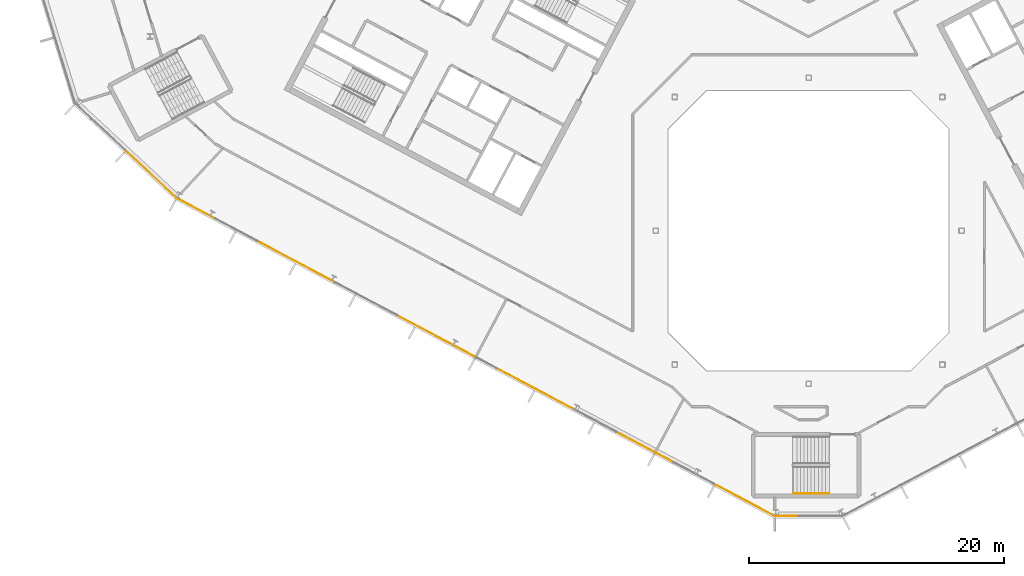
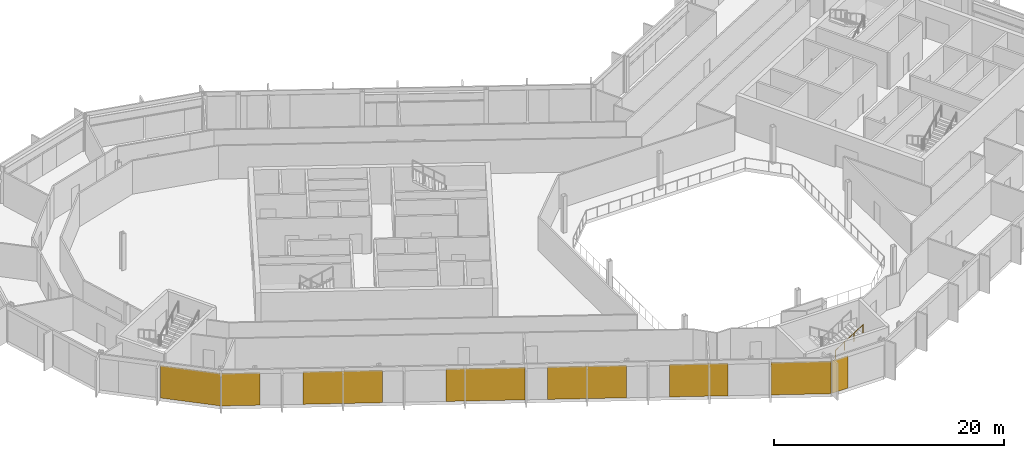
# One storey, part 19 of 26: 8 coverings, 1 railing, 3 elements without a shape of their own.
"""IFC4 building model written with IfcOpenShell, lengths in metres."""

from ifc_helpers import new_model, si_unit, direction, frame, origin, origin_2d, place, context, subcontext, project, spatial, polyline, rectangle, outline, extrude, material, layer, layer_set, type_object, element, aggregate, save


model = new_model("IFC4")

# Units and contexts
model_context = context("Model", 3, precision=1e-05, world=origin(), true_north=direction((0.0, 1.0)))
body_context = subcontext(model_context, "Body", "Model", "MODEL_VIEW")
ifc_project = project(units=[si_unit("LENGTHUNIT", "METRE"), si_unit("AREAUNIT", "SQUARE_METRE"), si_unit("VOLUMEUNIT", "CUBIC_METRE"), si_unit("PLANEANGLEUNIT", "RADIAN"), si_unit("MASSUNIT", "GRAM", prefix="KILO")], contexts=[model_context])

# Site, building, storey
site_placement = place(None, origin())
site = spatial("IfcSite", under=ifc_project, at=site_placement, CompositionType="ELEMENT")
building_placement = place(site_placement, origin())
building = spatial("IfcBuilding", under=site, at=building_placement, Name="Cormorant Relay Tower", CompositionType="ELEMENT")
storey_placement = place(building_placement, frame((0.0, 0.0, 312.60009765625)))
storey = spatial("IfcBuildingStorey", under=building, at=storey_placement, Name="L71", CompositionType="ELEMENT", Elevation=312.60009765625)

# Curtain wall, covering
ifc_material_1 = material(Name="Aluminium 6063-T6 anodised bronze", Category="aluminium")
ifc_layer_1 = layer(ifc_material_1, 0.199951171875)
ifc_layer_set_1 = layer_set([ifc_layer_1], Name="CW1 unitised bronze curtain wall with vertical fins")
curtain_wall_type = type_object("IfcCurtainWallType", Name="CW1 unitised bronze curtain wall with vertical fins", PredefinedType="NOTDEFINED", material=ifc_layer_set_1)
curtain_wall_1_placement = place(storey_placement, origin())
curtain_wall_1 = element("IfcCurtainWall", 1, at=curtain_wall_1_placement, inside=storey, type_object=curtain_wall_type, Name="CW1 curtain wall 1", PredefinedType="NOTDEFINED")
ifc_material_2 = material(Name="Pale bronze anodised aluminium insulated panel", Category="aluminium")
ifc_layer_2 = layer(ifc_material_2, 0.0400390625)
ifc_layer_set_2 = layer_set([ifc_layer_2], Name="CW1 pale bronze insulated panel 40")
covering_type = type_object("IfcCoveringType", Name="CW1 pale bronze insulated panel 40", PredefinedType="CLADDING", material=ifc_layer_set_2)
covering_1_placement = place(storey_placement, frame((-1.762451171875, -22.3955078125, 0.0), z_axis=(0.0, 0.0, 1.0), x_axis=(1.0, 0.0, 0.0)))
covering_1 = element("IfcCovering", 2, at=covering_1_placement, type_object=covering_type, Name="CW1 panel S00", PredefinedType="CLADDING", context=body_context, shape_type="SweptSolid", body=[
    extrude(rectangle(XDim=1.622802734375, YDim=0.0400390625, at=origin_2d()), origin(), (0.0, 0.0, 1.0), 3.449951171875),
])
aggregate(curtain_wall_1, [covering_1])

curtain_wall_2_placement = place(storey_placement, origin())
curtain_wall_2 = element("IfcCurtainWall", 3, at=curtain_wall_2_placement, inside=storey, type_object=curtain_wall_type, Name="CW1 curtain wall 15", PredefinedType="NOTDEFINED")
covering_2_placement = place(storey_placement, frame((-51.565185546875, 4.3974609375, 0.0), z_axis=(0.0, 0.0, 1.0), x_axis=(0.731353701619, -0.681998360062, 0.0)))
covering_2 = element("IfcCovering", 4, at=covering_2_placement, type_object=covering_type, Name="CW1 panel S02", PredefinedType="CLADDING", context=body_context, shape_type="SweptSolid", body=[
    extrude(rectangle(XDim=5.360107421875, YDim=0.0400390625, at=origin_2d()), origin(), (0.0, 0.0, 1.0), 3.449951171875),
])
aggregate(curtain_wall_2, [covering_2])

# Curtain wall, coverings
curtain_wall_3_placement = place(storey_placement, origin())
curtain_wall_3 = element("IfcCurtainWall", 5, at=curtain_wall_3_placement, inside=storey, type_object=curtain_wall_type, Name="CW1 curtain wall 16", PredefinedType="NOTDEFINED")
covering_3_placement = place(storey_placement, frame((-48.048583984375, 1.7412109375, 0.0), z_axis=(0.0, 0.0, 1.0), x_axis=(0.882947592859, -0.469471562786, 0.0)))
covering_3 = element("IfcCovering", 6, at=covering_3_placement, type_object=covering_type, Name="CW1 panel S00", PredefinedType="CLADDING", context=body_context, shape_type="SweptSolid", body=[
    extrude(rectangle(XDim=3.36669921875, YDim=0.0400390625, at=origin_2d()), origin(), (0.0, 0.0, 1.0), 3.449951171875),
])
covering_4_placement = place(storey_placement, frame((-40.21240234375, -2.42529296875, 0.0), z_axis=(0.0, 0.0, 1.0), x_axis=(0.882947592859, -0.469471562786, 0.0)))
covering_4 = element("IfcCovering", 7, at=covering_4_placement, type_object=covering_type, Name="CW1 panel S03", PredefinedType="CLADDING", context=body_context, shape_type="SweptSolid", body=[
    extrude(rectangle(XDim=6.88330078125, YDim=0.0400390625, at=origin_2d()), origin(), (0.0, 0.0, 1.0), 3.449951171875),
])
covering_5_placement = place(storey_placement, frame((-29.234619140625, -8.26220703125, 0.0), z_axis=(0.0, 0.0, 1.0), x_axis=(0.882947592859, -0.469471562786, 0.0)))
covering_5 = element("IfcCovering", 8, at=covering_5_placement, type_object=covering_type, Name="CW1 panel S06", PredefinedType="CLADDING", context=body_context, shape_type="SweptSolid", body=[
    extrude(rectangle(XDim=6.88330078125, YDim=0.0400390625, at=origin_2d()), origin(), (0.0, 0.0, 1.0), 3.449951171875),
])
covering_6_placement = place(storey_placement, frame((-21.435302734375, -12.4091796875, 0.0), z_axis=(0.0, 0.0, 1.0), x_axis=(0.882947592859, -0.469471562786, 0.0)))
covering_6 = element("IfcCovering", 9, at=covering_6_placement, type_object=covering_type, Name="CW1 panel S08", PredefinedType="CLADDING", context=body_context, shape_type="SweptSolid", body=[
    extrude(rectangle(XDim=6.88330078125, YDim=0.0400390625, at=origin_2d()), origin(), (0.0, 0.0, 1.0), 3.449951171875),
])
covering_7_placement = place(storey_placement, frame((-12.84130859375, -16.978759765625, 0.0), z_axis=(0.0, 0.0, 1.0), x_axis=(0.882947592859, -0.469471562786, 0.0)))
covering_7 = element("IfcCovering", 10, at=covering_7_placement, type_object=covering_type, Name="CW1 panel S11", PredefinedType="CLADDING", context=body_context, shape_type="SweptSolid", body=[
    extrude(rectangle(XDim=5.083251953125, YDim=0.0400390625, at=origin_2d()), origin(), (0.0, 0.0, 1.0), 3.449951171875),
])
covering_8_placement = place(storey_placement, frame((-4.972412109375, -21.162841796875, 0.0), z_axis=(0.0, 0.0, 1.0), x_axis=(0.882947592859, -0.469471562786, 0.0)))
covering_8 = element("IfcCovering", 11, at=covering_8_placement, type_object=covering_type, Name="CW1 panel S13", PredefinedType="CLADDING", context=body_context, shape_type="SweptSolid", body=[
    extrude(rectangle(XDim=5.24169921875, YDim=0.0400390625, at=origin_2d()), origin(), (0.0, 0.0, 1.0), 3.449951171875),
])
aggregate(curtain_wall_3, [covering_3, covering_4, covering_5, covering_6, covering_7, covering_8])

# Railing
ifc_material_3 = material(Name="Steel ASTM A572 Grade 50 (Fy 345 MPa)", Category="steel")
railing_type = type_object("IfcRailingType", Name="Stair handrail 900", PredefinedType="HANDRAIL", material=ifc_material_3)
railing_placement = place(storey_placement, frame((-1.199951171875, -20.625, 2.127197265625)))
element("IfcRailing", 12, at=railing_placement, inside=storey, type_object=railing_type, Name="L71 RK1 stair handrail 2", PredefinedType="HANDRAIL", context=body_context, shape_type="SweptSolid", body=[
    extrude(outline(polyline([(0.022216796875, 0.00927734375), (0.00927734375, 0.022216796875), (-0.00927734375, 0.022216796875), (-0.022216796875, 0.00927734375), (-0.022216796875, -0.00927734375), (-0.00927734375, -0.022216796875), (0.00927734375, -0.022216796875), (0.022216796875, -0.00927734375), (0.022216796875, 0.00927734375)])), frame((0.0, 0.0, 0.8759765625), z_axis=(0.844908973607, 0.0, 0.534910110503), x_axis=(0.0, 1.0, 0.0)), (0.0, 0.0, 1.0), 3.31396484375),
    extrude(outline(polyline([(0.019287109375, 0.008056640625), (0.008056640625, 0.019287109375), (-0.008056640625, 0.019287109375), (-0.019287109375, 0.008056640625), (-0.019287109375, -0.008056640625), (-0.008056640625, -0.019287109375), (0.008056640625, -0.019287109375), (0.019287109375, -0.008056640625), (0.019287109375, 0.008056640625)])), origin(), (0.0, 0.0, 1.0), 0.851806640625),
    extrude(outline(polyline([(0.019287109375, 0.008056640625), (0.008056640625, 0.019287109375), (-0.008056640625, 0.019287109375), (-0.019287109375, 0.008056640625), (-0.019287109375, -0.008056640625), (-0.008056640625, -0.019287109375), (0.008056640625, -0.019287109375), (0.019287109375, -0.008056640625), (0.019287109375, 0.008056640625)])), frame((0.933349609375, 0.0, 0.5908203125)), (0.0, 0.0, 1.0), 0.851806640625),
    extrude(outline(polyline([(0.019287109375, 0.008056640625), (0.008056640625, 0.019287109375), (-0.008056640625, 0.019287109375), (-0.019287109375, 0.008056640625), (-0.019287109375, -0.008056640625), (-0.008056640625, -0.019287109375), (0.008056640625, -0.019287109375), (0.019287109375, -0.008056640625), (0.019287109375, 0.008056640625)])), frame((1.86669921875, 0.0, 1.181884765625)), (0.0, 0.0, 1.0), 0.851806640625),
    extrude(outline(polyline([(0.019287109375, 0.008056640625), (0.008056640625, 0.019287109375), (-0.008056640625, 0.019287109375), (-0.019287109375, 0.008056640625), (-0.019287109375, -0.008056640625), (-0.008056640625, -0.019287109375), (0.008056640625, -0.019287109375), (0.019287109375, -0.008056640625), (0.019287109375, 0.008056640625)])), frame((2.800048828125, 0.0, 1.772705078125)), (0.0, 0.0, 1.0), 0.851806640625),
])

save(model, "model.ifc")
